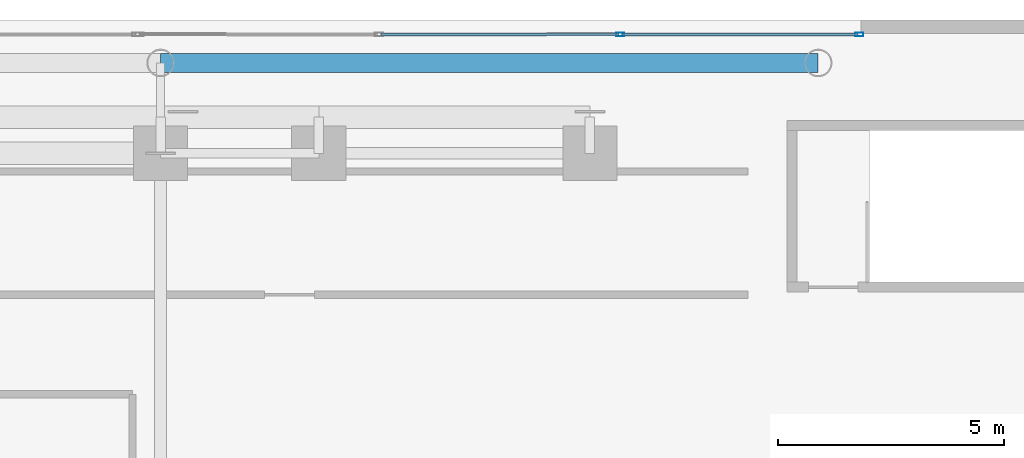
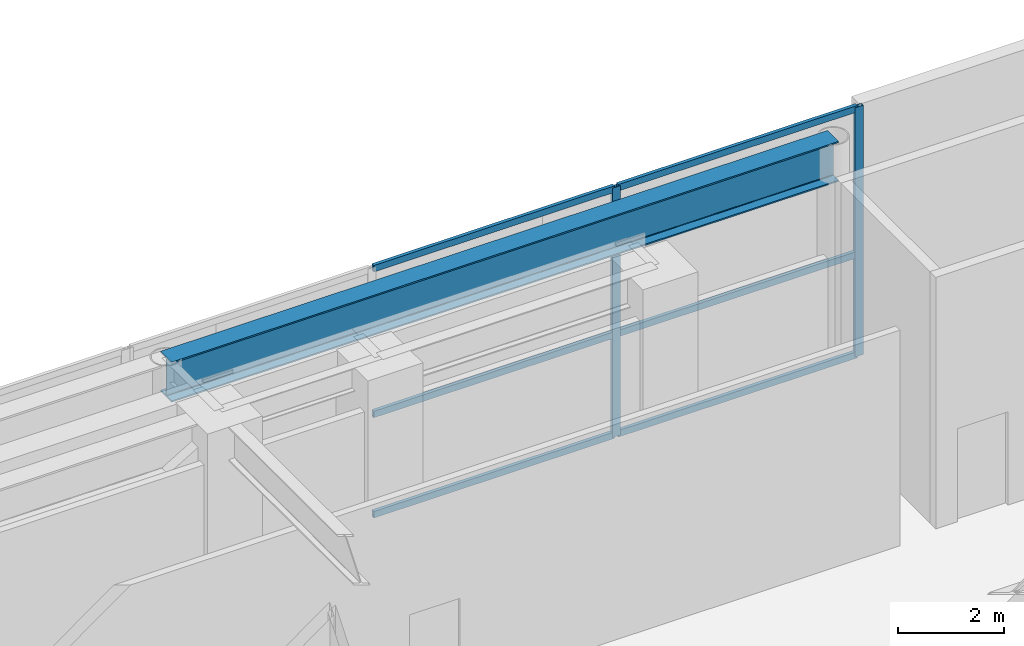
# One storey, part 16 of 29: 8 members, 1 beam, 1 element without a shape of its own.
"""IFC4 building model written with IfcOpenShell, lengths in metres."""

from ifc_helpers import new_model, si_unit, direction, frame, origin, origin_2d, place, context, subcontext, project, spatial, hollow_rectangle, i_section, extrude, source, transform, mapped, material, layer, layer_set, material_profile, profile_set, type_object, element, aggregate, save


model = new_model("IFC4")

# Units and contexts
model_context = context("Model", 3, precision=1e-05, world=origin(), true_north=direction((0.0, 1.0)))
body_context = subcontext(model_context, "Body", "Model", "MODEL_VIEW")
ifc_project = project(units=[si_unit("LENGTHUNIT", "METRE"), si_unit("AREAUNIT", "SQUARE_METRE"), si_unit("VOLUMEUNIT", "CUBIC_METRE"), si_unit("PLANEANGLEUNIT", "RADIAN"), si_unit("MASSUNIT", "GRAM", prefix="KILO")], contexts=[model_context])

# Site, building, storey
site_placement = place(None, origin())
site = spatial("IfcSite", under=ifc_project, at=site_placement, CompositionType="ELEMENT")
building_placement = place(site_placement, origin())
building = spatial("IfcBuilding", under=site, at=building_placement, Name="Ocotamira Hotel", CompositionType="ELEMENT")
storey_placement = place(building_placement, frame((0.0, 0.0, 28.800048828125)))
storey = spatial("IfcBuildingStorey", under=building, at=storey_placement, Name="L06", CompositionType="ELEMENT", Elevation=28.800048828125)

# Beam
ifc_material_1 = material(Name="Steel ASTM A992 Grade 50", Category="steel")
ifc_material_profile_1 = material_profile(ifc_material_1, i_section(OverallWidth=0.41796875, OverallDepth=0.927001953125, WebThickness=0.019287109375, FlangeThickness=0.031982421875, FilletRadius=0.02392578125, at=origin_2d()), Name="W36X231")
ifc_profile_set_1 = profile_set([ifc_material_profile_1], Name="Steel ASTM A992 Grade 50")
beam_type = type_object("IfcBeamType", Name="BM-GIRD-W36X231", PredefinedType="BEAM", material=ifc_profile_set_1)
shared_shape_1 = source(origin(), body_context, "Body", "SweptSolid", [
    extrude(i_section(OverallWidth=0.41796875, OverallDepth=0.927001953125, WebThickness=0.019287109375, FlangeThickness=0.031982421875, FilletRadius=0.02392578125, at=origin_2d()), origin(), (0.0, 0.0, 1.0), 14.550048828125),
])
beam_placement = place(storey_placement, frame((40.5, 51.050048828125, 5.286376953125), z_axis=(1.0, 0.0, 0.0), x_axis=(0.0, 1.0, 0.0)))
element("IfcBeam", 1, at=beam_placement, inside=storey, type_object=beam_type, Name="L06 Girder Y51.05 X40.5-55.05", PredefinedType="BEAM", context=body_context, shape_type="MappedRepresentation", body=[
    mapped(shared_shape_1, transform((0.0, 0.0, 0.0), scale=1.0)),
])

# Curtain wall, members
ifc_material_2 = material(Name="Anodised pale-metal aluminium and solar glass", Category="aluminium")
ifc_layer = layer(ifc_material_2, 0.239990234375)
ifc_layer_set = layer_set([ifc_layer], Name="Anodised pale-metal aluminium and solar glass")
curtain_wall_type = type_object("IfcCurtainWallType", Name="CW-SYS5-SKY", PredefinedType="NOTDEFINED", material=ifc_layer_set)
curtain_wall_placement = place(storey_placement, origin())
curtain_wall = element("IfcCurtainWall", 2, at=curtain_wall_placement, inside=storey, type_object=curtain_wall_type, Name="L06 Curtain Wall CW-5 CW-L06-N3", PredefinedType="NOTDEFINED")
ifc_material_3 = material(Name="Anodised pale-metal aluminium 6063-T6", Category="aluminium")
ifc_material_profile_2 = material_profile(ifc_material_3, hollow_rectangle(XDim=0.074951171875, YDim=0.14990234375, WallThickness=0.006103515625, at=origin_2d()), Name="HSS150X75X6")
ifc_profile_set_2 = profile_set([ifc_material_profile_2], Name="Anodised pale-metal aluminium 6063-T6")
member_type_1 = type_object("IfcMemberType", Name="CWT-150X75", PredefinedType="USERDEFINED", material=ifc_profile_set_2)
shared_shape_2 = source(origin(), body_context, "Body", "SweptSolid", [
    extrude(hollow_rectangle(XDim=0.074951171875, YDim=0.14990234375, WallThickness=0.006103515625, at=origin_2d()), origin(), (0.0, 0.0, 1.0), 5.213134765625),
])
member_1_placement = place(storey_placement, frame((50.706787109375, 51.679931640625, 0.037353515625), z_axis=(1.0, 0.0, 0.0), x_axis=(0.0, 1.0, 0.0)))
member_1 = element("IfcMember", 3, at=member_1_placement, type_object=member_type_1, Name="CW-5 transom 3.1", ObjectType="TRANSOM", PredefinedType="USERDEFINED", context=body_context, shape_type="MappedRepresentation", body=[
    mapped(shared_shape_2, transform((0.0, 0.0, 0.0), scale=1.0)),
])
member_2_placement = place(storey_placement, frame((50.706787109375, 51.679931640625, 2.349853515625), z_axis=(1.0, 0.0, 0.0), x_axis=(0.0, 1.0, 0.0)))
member_2 = element("IfcMember", 4, at=member_2_placement, type_object=member_type_1, Name="CW-5 transom 3.2", ObjectType="TRANSOM", PredefinedType="USERDEFINED", context=body_context, shape_type="MappedRepresentation", body=[
    mapped(shared_shape_2, transform((0.0, 0.0, 0.0), scale=1.0)),
])
member_3_placement = place(storey_placement, frame((50.706787109375, 51.679931640625, 5.71240234375), z_axis=(1.0, 0.0, 0.0), x_axis=(0.0, 1.0, 0.0)))
member_3 = element("IfcMember", 5, at=member_3_placement, type_object=member_type_1, Name="CW-5 transom 3.3", ObjectType="TRANSOM", PredefinedType="USERDEFINED", context=body_context, shape_type="MappedRepresentation", body=[
    mapped(shared_shape_2, transform((0.0, 0.0, 0.0), scale=1.0)),
])
shared_shape_3 = source(origin(), body_context, "Body", "SweptSolid", [
    extrude(hollow_rectangle(XDim=0.074951171875, YDim=0.14990234375, WallThickness=0.006103515625, at=origin_2d()), origin(), (0.0, 0.0, 1.0), 5.25341796875),
])
member_4_placement = place(storey_placement, frame((45.373291015625, 51.679931640625, 0.037353515625), z_axis=(1.0, 0.0, 0.0), x_axis=(0.0, 1.0, 0.0)))
member_4 = element("IfcMember", 6, at=member_4_placement, type_object=member_type_1, Name="CW-5 transom 2.1", ObjectType="TRANSOM", PredefinedType="USERDEFINED", context=body_context, shape_type="MappedRepresentation", body=[
    mapped(shared_shape_3, transform((0.0, 0.0, 0.0), scale=1.0)),
])
member_5_placement = place(storey_placement, frame((45.373291015625, 51.679931640625, 2.349853515625), z_axis=(1.0, 0.0, 0.0), x_axis=(0.0, 1.0, 0.0)))
member_5 = element("IfcMember", 7, at=member_5_placement, type_object=member_type_1, Name="CW-5 transom 2.2", ObjectType="TRANSOM", PredefinedType="USERDEFINED", context=body_context, shape_type="MappedRepresentation", body=[
    mapped(shared_shape_3, transform((0.0, 0.0, 0.0), scale=1.0)),
])
member_6_placement = place(storey_placement, frame((45.373291015625, 51.679931640625, 5.71240234375), z_axis=(1.0, 0.0, 0.0), x_axis=(0.0, 1.0, 0.0)))
member_6 = element("IfcMember", 8, at=member_6_placement, type_object=member_type_1, Name="CW-5 transom 2.3", ObjectType="TRANSOM", PredefinedType="USERDEFINED", context=body_context, shape_type="MappedRepresentation", body=[
    mapped(shared_shape_3, transform((0.0, 0.0, 0.0), scale=1.0)),
])
ifc_material_profile_3 = material_profile(ifc_material_3, hollow_rectangle(XDim=0.080078125, YDim=0.179931640625, WallThickness=0.006103515625, at=origin_2d()), Name="HSS180X80X6")
ifc_profile_set_3 = profile_set([ifc_material_profile_3], Name="Anodised pale-metal aluminium 6063-T6")
member_type_2 = type_object("IfcMemberType", Name="CWM-180X75", PredefinedType="MULLION", material=ifc_profile_set_3)
shared_shape_4 = source(origin(), body_context, "Body", "SweptSolid", [
    extrude(hollow_rectangle(XDim=0.080078125, YDim=0.179931640625, WallThickness=0.006103515625, at=origin_2d()), origin(), (0.0, 0.0, 1.0), 5.75),
])
member_7_placement = place(storey_placement, frame((50.666748046875, 51.679931640625, 0.0), z_axis=(0.0, 0.0, 1.0), x_axis=(0.0, 1.0, 0.0)))
member_7 = element("IfcMember", 9, at=member_7_placement, type_object=member_type_2, Name="CW-5 mullion 3", PredefinedType="MULLION", context=body_context, shape_type="MappedRepresentation", body=[
    mapped(shared_shape_4, transform((0.0, 0.0, 0.0), scale=1.0)),
])
member_8_placement = place(storey_placement, frame((55.9599609375, 51.679931640625, 0.0), z_axis=(0.0, 0.0, 1.0), x_axis=(0.0, 1.0, 0.0)))
member_8 = element("IfcMember", 10, at=member_8_placement, type_object=member_type_2, Name="CW-5 mullion 4", PredefinedType="MULLION", context=body_context, shape_type="MappedRepresentation", body=[
    mapped(shared_shape_4, transform((0.0, 0.0, 0.0), scale=1.0)),
])
aggregate(curtain_wall, [member_7, member_8, member_4, member_5, member_6, member_1, member_2, member_3])

save(model, "model.ifc")
